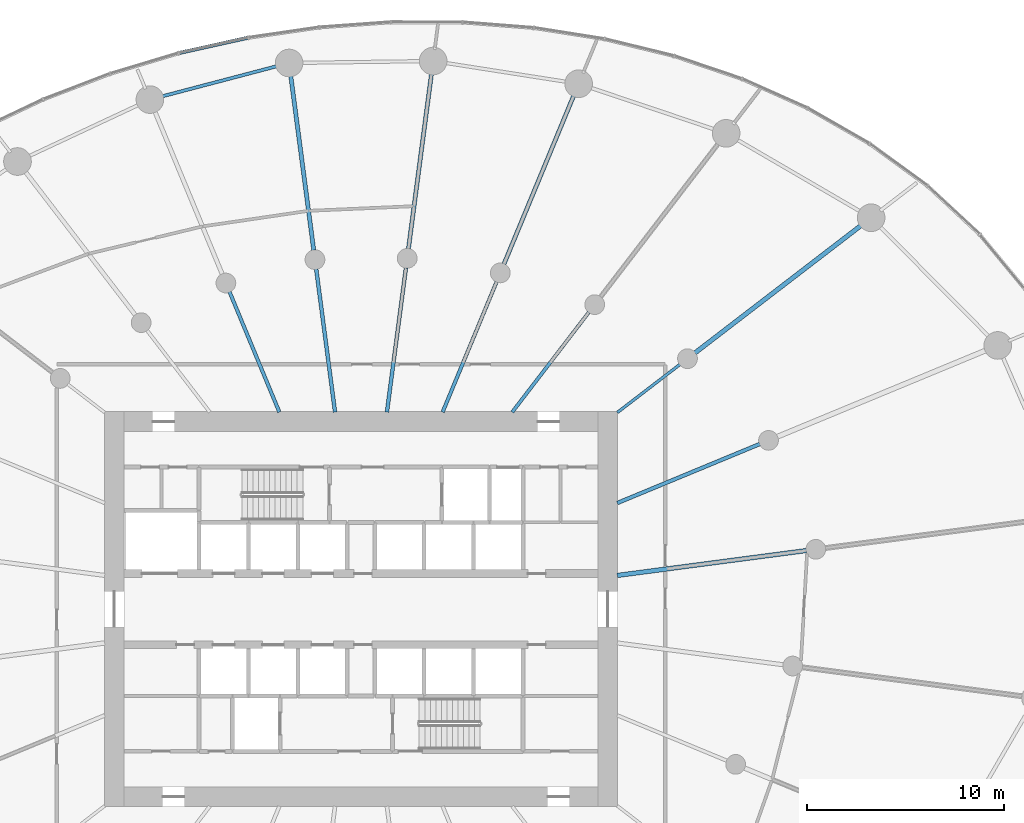
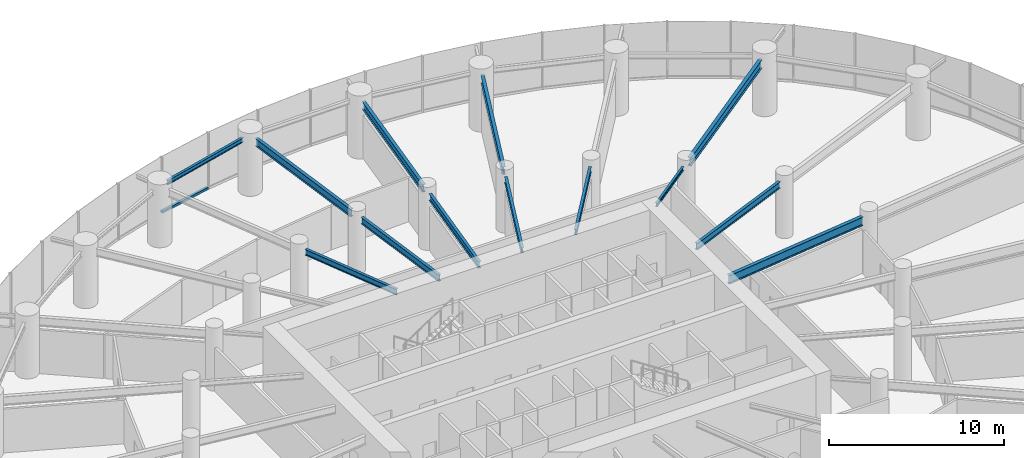
# One storey, part 7 of 19: 13 beams, 1 member, 1 element without a shape of its own.
"""IFC4 building model written with IfcOpenShell, lengths in metres."""

from ifc_helpers import new_model, si_unit, direction, frame, origin, origin_2d, place, context, subcontext, project, spatial, rectangle, i_section, extrude, source, transform, mapped, material, layer, layer_set, material_profile, profile_set, type_object, element, aggregate, save


model = new_model("IFC4")

# Units and contexts
model_context = context("Model", 3, precision=1e-05, world=origin(), true_north=direction((0.0, 1.0)))
body_context = subcontext(model_context, "Body", "Model", "MODEL_VIEW")
ifc_project = project(units=[si_unit("LENGTHUNIT", "METRE"), si_unit("AREAUNIT", "SQUARE_METRE"), si_unit("VOLUMEUNIT", "CUBIC_METRE"), si_unit("PLANEANGLEUNIT", "RADIAN"), si_unit("MASSUNIT", "GRAM", prefix="KILO")], contexts=[model_context])

# Site, building, storey
site_placement = place(None, origin())
site = spatial("IfcSite", under=ifc_project, at=site_placement, CompositionType="ELEMENT")
building_placement = place(site_placement, origin())
building = spatial("IfcBuilding", under=site, at=building_placement, Name="Spindrift Exchange Tower", CompositionType="ELEMENT")
storey_placement = place(building_placement, frame((0.0, 0.0, 49.0)))
storey = spatial("IfcBuildingStorey", under=building, at=storey_placement, Name="L11", CompositionType="ELEMENT", Elevation=49.0)

# Beams
ifc_material_1 = material(Name="Steel Grade 300", Category="steel")
ifc_material_profile_1 = material_profile(ifc_material_1, i_section(OverallWidth=0.22802734375, OverallDepth=0.60693359375, WebThickness=0.01123046875, FlangeThickness=0.017333984375, FilletRadius=0.013916015625, at=origin_2d()), Name="610UB113")
ifc_profile_set_1 = profile_set([ifc_material_profile_1], Name="Steel Grade 300")
beam_type_1 = type_object("IfcBeamType", Name="Floor Beam 610UB113 Steel Grade 300", PredefinedType="BEAM", material=ifc_profile_set_1)
shared_shape_1 = source(origin(), body_context, "Body", "SweptSolid", [
    extrude(i_section(OverallWidth=0.22802734375, OverallDepth=0.60693359375, WebThickness=0.01123046875, FlangeThickness=0.017333984375, FilletRadius=0.013916015625, at=origin_2d()), origin(), (0.0, 0.0, 1.0), 9.660400390625),
])
beam_1_placement = place(storey_placement, frame((64.980224609375, 49.708984375, 3.646484375), z_axis=(0.99144767089, 0.130504850054, 0.0), x_axis=(-0.130504850054, 0.99144767089, 0.0)))
element("IfcBeam", 1, at=beam_1_placement, inside=storey, type_object=beam_type_1, Name="L11 radial beam R01A", PredefinedType="BEAM", context=body_context, shape_type="MappedRepresentation", body=[
    mapped(shared_shape_1, transform((0.0, 0.0, 0.0), scale=1.0)),
])
ifc_material_profile_2 = material_profile(ifc_material_1, i_section(OverallWidth=0.18994140625, OverallDepth=0.45703125, WebThickness=0.009033203125, FlangeThickness=0.014404296875, FilletRadius=0.013916015625, at=origin_2d()), Name="460UB74.6")
ifc_profile_set_2 = profile_set([ifc_material_profile_2], Name="Steel Grade 300")
beam_type_2 = type_object("IfcBeamType", Name="Floor Beam 460UB74.6 Steel Grade 300", PredefinedType="BEAM", material=ifc_profile_set_2)
shared_shape_2 = source(origin(), body_context, "Body", "SweptSolid", [
    extrude(i_section(OverallWidth=0.18994140625, OverallDepth=0.45703125, WebThickness=0.009033203125, FlangeThickness=0.014404296875, FilletRadius=0.013916015625, at=origin_2d()), origin(), (0.0, 0.0, 1.0), 7.808837890625),
])
beam_2_placement = place(storey_placement, frame((64.9814453125, 53.377197265625, 3.721435546875), z_axis=(0.92387965154, 0.382683145003, 0.0), x_axis=(-0.382683145003, 0.92387965154, 0.0)))
element("IfcBeam", 2, at=beam_2_placement, inside=storey, type_object=beam_type_2, Name="L11 radial beam R02A", PredefinedType="BEAM", context=body_context, shape_type="MappedRepresentation", body=[
    mapped(shared_shape_2, transform((0.0, 0.0, 0.0), scale=1.0)),
])
ifc_material_profile_3 = material_profile(ifc_material_1, i_section(OverallWidth=0.14599609375, OverallDepth=0.251953125, WebThickness=0.006103515625, FlangeThickness=0.008544921875, FilletRadius=0.011962890625, at=origin_2d()), Name="250UB31.4")
ifc_profile_set_3 = profile_set([ifc_material_profile_3], Name="Steel Grade 300")
beam_type_3 = type_object("IfcBeamType", Name="Floor Beam 250UB31.4 Steel Grade 300", PredefinedType="BEAM", material=ifc_profile_set_3)
shared_shape_3 = source(origin(), body_context, "Body", "SweptSolid", [
    extrude(i_section(OverallWidth=0.14599609375, OverallDepth=0.251953125, WebThickness=0.006103515625, FlangeThickness=0.008544921875, FilletRadius=0.011962890625, at=origin_2d()), origin(), (0.0, 0.0, 1.0), 3.99560546875),
])
beam_3_placement = place(storey_placement, frame((64.984130859375, 57.963134765625, 3.823974609375), z_axis=(0.793352561574, 0.608762443851, 0.0), x_axis=(-0.608762443851, 0.793352561574, 0.0)))
element("IfcBeam", 3, at=beam_3_placement, inside=storey, type_object=beam_type_3, Name="L11 radial beam R03A", PredefinedType="BEAM", context=body_context, shape_type="MappedRepresentation", body=[
    mapped(shared_shape_3, transform((0.0, 0.0, 0.0), scale=1.0)),
])
shared_shape_4 = source(origin(), body_context, "Body", "SweptSolid", [
    extrude(i_section(OverallWidth=0.22802734375, OverallDepth=0.60693359375, WebThickness=0.01123046875, FlangeThickness=0.017333984375, FilletRadius=0.013916015625, at=origin_2d()), origin(), (0.0, 0.0, 1.0), 10.66357421875),
])
beam_4_placement = place(storey_placement, frame((68.91552734375, 60.979736328125, 3.646484375), z_axis=(0.793357926757, 0.608755451764, 0.0), x_axis=(-0.608755451764, 0.793357926757, 0.0)))
element("IfcBeam", 4, at=beam_4_placement, inside=storey, type_object=beam_type_1, Name="L11 radial beam R03B", PredefinedType="BEAM", context=body_context, shape_type="MappedRepresentation", body=[
    mapped(shared_shape_4, transform((0.0, 0.0, 0.0), scale=1.0)),
])
ifc_material_profile_4 = material_profile(ifc_material_1, i_section(OverallWidth=0.172119140625, OverallDepth=0.35888671875, WebThickness=0.008056640625, FlangeThickness=0.012939453125, FilletRadius=0.013916015625, at=origin_2d()), Name="360UB56.7")
ifc_profile_set_4 = profile_set([ifc_material_profile_4], Name="Steel Grade 300")
beam_type_4 = type_object("IfcBeamType", Name="Floor Beam 360UB56.7 Steel Grade 300", PredefinedType="BEAM", material=ifc_profile_set_4)
shared_shape_5 = source(origin(), body_context, "Body", "SweptSolid", [
    extrude(i_section(OverallWidth=0.172119140625, OverallDepth=0.35888671875, WebThickness=0.008056640625, FlangeThickness=0.012939453125, FilletRadius=0.013916015625, at=origin_2d()), origin(), (0.0, 0.0, 1.0), 6.37646484375),
])
beam_5_placement = place(storey_placement, frame((59.6611328125, 57.984130859375, 3.7705078125), z_axis=(0.608766669952, 0.793349318747, 0.0), x_axis=(-0.793349318747, 0.608766669952, 0.0)))
element("IfcBeam", 5, at=beam_5_placement, inside=storey, type_object=beam_type_4, Name="L11 radial beam R04A", PredefinedType="BEAM", context=body_context, shape_type="MappedRepresentation", body=[
    mapped(shared_shape_5, transform((0.0, 0.0, 0.0), scale=1.0)),
])
ifc_material_profile_5 = material_profile(ifc_material_1, i_section(OverallWidth=0.177978515625, OverallDepth=0.406005859375, WebThickness=0.0078125, FlangeThickness=0.0126953125, FilletRadius=0.013916015625, at=origin_2d()), Name="410UB59.7")
ifc_profile_set_5 = profile_set([ifc_material_profile_5], Name="Steel Grade 300")
beam_type_5 = type_object("IfcBeamType", Name="Floor Beam 410UB59.7 Steel Grade 300", PredefinedType="BEAM", material=ifc_profile_set_5)
shared_shape_6 = source(origin(), body_context, "Body", "SweptSolid", [
    extrude(i_section(OverallWidth=0.177978515625, OverallDepth=0.406005859375, WebThickness=0.0078125, FlangeThickness=0.0126953125, FilletRadius=0.013916015625, at=origin_2d()), origin(), (0.0, 0.0, 1.0), 7.150634765625),
])
beam_6_placement = place(storey_placement, frame((56.134521484375, 57.9814453125, 3.7470703125), z_axis=(0.382665393358, 0.923887004306, 0.0), x_axis=(-0.923887004306, 0.382665393358, 0.0)))
element("IfcBeam", 6, at=beam_6_placement, inside=storey, type_object=beam_type_5, Name="L11 radial beam R05A", PredefinedType="BEAM", context=body_context, shape_type="MappedRepresentation", body=[
    mapped(shared_shape_6, transform((0.0, 0.0, 0.0), scale=1.0)),
])
ifc_material_profile_6 = material_profile(ifc_material_1, i_section(OverallWidth=0.208984375, OverallDepth=0.532958984375, WebThickness=0.01025390625, FlangeThickness=0.015625, FilletRadius=0.013916015625, at=origin_2d()), Name="530UB92.4")
ifc_profile_set_6 = profile_set([ifc_material_profile_6], Name="Steel Grade 300")
beam_type_6 = type_object("IfcBeamType", Name="Floor Beam 530UB92.4 Steel Grade 300", PredefinedType="BEAM", material=ifc_profile_set_6)
shared_shape_7 = source(origin(), body_context, "Body", "SweptSolid", [
    extrude(i_section(OverallWidth=0.208984375, OverallDepth=0.532958984375, WebThickness=0.01025390625, FlangeThickness=0.015625, FilletRadius=0.013916015625, at=origin_2d()), origin(), (0.0, 0.0, 1.0), 9.309326171875),
])
beam_7_placement = place(storey_placement, frame((59.23828125, 65.474853515625, 3.68359375), z_axis=(0.382685326691, 0.923878747853, 0.0), x_axis=(-0.923878747853, 0.382685326691, 0.0)))
element("IfcBeam", 7, at=beam_7_placement, inside=storey, type_object=beam_type_6, Name="L11 radial beam R05B", PredefinedType="BEAM", context=body_context, shape_type="MappedRepresentation", body=[
    mapped(shared_shape_7, transform((0.0, 0.0, 0.0), scale=1.0)),
])
shared_shape_8 = source(origin(), body_context, "Body", "SweptSolid", [
    extrude(i_section(OverallWidth=0.18994140625, OverallDepth=0.45703125, WebThickness=0.009033203125, FlangeThickness=0.014404296875, FilletRadius=0.013916015625, at=origin_2d()), origin(), (0.0, 0.0, 1.0), 7.374267578125),
])
beam_8_placement = place(storey_placement, frame((53.31396484375, 57.980224609375, 3.721435546875), z_axis=(0.130539295622, 0.99144313619, 0.0), x_axis=(-0.99144313619, 0.130539295622, 0.0)))
element("IfcBeam", 8, at=beam_8_placement, inside=storey, type_object=beam_type_2, Name="L11 radial beam R06A", PredefinedType="BEAM", context=body_context, shape_type="MappedRepresentation", body=[
    mapped(shared_shape_8, transform((0.0, 0.0, 0.0), scale=1.0)),
])
shared_shape_9 = source(origin(), body_context, "Body", "SweptSolid", [
    extrude(i_section(OverallWidth=0.208984375, OverallDepth=0.532958984375, WebThickness=0.01025390625, FlangeThickness=0.015625, FilletRadius=0.013916015625, at=origin_2d()), origin(), (0.0, 0.0, 1.0), 9.020263671875),
])
beam_9_placement = place(storey_placement, frame((54.40185546875, 66.2431640625, 3.68359375), z_axis=(0.13051122338, 0.991446831944, 0.0), x_axis=(-0.991446831944, 0.13051122338, 0.0)))
element("IfcBeam", 9, at=beam_9_placement, inside=storey, type_object=beam_type_6, Name="L11 radial beam R06B", PredefinedType="BEAM", context=body_context, shape_type="MappedRepresentation", body=[
    mapped(shared_shape_9, transform((0.0, 0.0, 0.0), scale=1.0)),
])
shared_shape_10 = source(origin(), body_context, "Body", "SweptSolid", [
    extrude(i_section(OverallWidth=0.18994140625, OverallDepth=0.45703125, WebThickness=0.009033203125, FlangeThickness=0.014404296875, FilletRadius=0.013916015625, at=origin_2d()), origin(), (0.0, 0.0, 1.0), 7.3095703125),
])
beam_10_placement = place(storey_placement, frame((50.68603515625, 57.980224609375, 3.721435546875), z_axis=(-0.130527087244, 0.991444743541, 0.0), x_axis=(-0.991444743541, -0.130527087244, 0.0)))
element("IfcBeam", 10, at=beam_10_placement, inside=storey, type_object=beam_type_2, Name="L11 radial beam R07A", PredefinedType="BEAM", context=body_context, shape_type="MappedRepresentation", body=[
    mapped(shared_shape_10, transform((0.0, 0.0, 0.0), scale=1.0)),
])
shared_shape_11 = source(origin(), body_context, "Body", "SweptSolid", [
    extrude(i_section(OverallWidth=0.208984375, OverallDepth=0.532958984375, WebThickness=0.01025390625, FlangeThickness=0.015625, FilletRadius=0.013916015625, at=origin_2d()), origin(), (0.0, 0.0, 1.0), 8.98388671875),
])
beam_11_placement = place(storey_placement, frame((49.606689453125, 66.17919921875, 3.68359375), z_axis=(-0.130524106785, 0.991445135924, 0.0), x_axis=(-0.991445135924, -0.130524106785, 0.0)))
element("IfcBeam", 11, at=beam_11_placement, inside=storey, type_object=beam_type_6, Name="L11 radial beam R07B", PredefinedType="BEAM", context=body_context, shape_type="MappedRepresentation", body=[
    mapped(shared_shape_11, transform((0.0, 0.0, 0.0), scale=1.0)),
])
shared_shape_12 = source(origin(), body_context, "Body", "SweptSolid", [
    extrude(i_section(OverallWidth=0.177978515625, OverallDepth=0.406005859375, WebThickness=0.0078125, FlangeThickness=0.0126953125, FilletRadius=0.013916015625, at=origin_2d()), origin(), (0.0, 0.0, 1.0), 6.594482421875),
])
beam_12_placement = place(storey_placement, frame((47.865478515625, 57.9814453125, 3.7470703125), z_axis=(-0.382692929746, 0.92387559851, 0.0), x_axis=(-0.92387559851, -0.382692929746, 0.0)))
element("IfcBeam", 12, at=beam_12_placement, inside=storey, type_object=beam_type_5, Name="L11 radial beam R08A", PredefinedType="BEAM", context=body_context, shape_type="MappedRepresentation", body=[
    mapped(shared_shape_12, transform((0.0, 0.0, 0.0), scale=1.0)),
])
ifc_material_profile_7 = material_profile(ifc_material_1, i_section(OverallWidth=0.1650390625, OverallDepth=0.303955078125, WebThickness=0.006103515625, FlangeThickness=0.01025390625, FilletRadius=0.011474609375, at=origin_2d()), Name="310UB40.4")
ifc_profile_set_7 = profile_set([ifc_material_profile_7], Name="Steel Grade 300")
beam_type_7 = type_object("IfcBeamType", Name="Edge Beam 310UB40.4 Steel Grade 300", PredefinedType="SPANDREL", material=ifc_profile_set_7)
shared_shape_13 = source(origin(), body_context, "Body", "SweptSolid", [
    extrude(i_section(OverallWidth=0.1650390625, OverallDepth=0.303955078125, WebThickness=0.006103515625, FlangeThickness=0.01025390625, FilletRadius=0.011474609375, at=origin_2d()), origin(), (0.0, 0.0, 1.0), 6.128173828125),
])
beam_13_placement = place(storey_placement, frame((47.79736328125, 75.513916015625, 3.798095703125), z_axis=(-0.967147261855, -0.254216785216, 0.0), x_axis=(0.254216785216, -0.967147261855, 0.0)))
element("IfcBeam", 13, at=beam_13_placement, inside=storey, type_object=beam_type_7, Name="L11 edge beam E07", PredefinedType="SPANDREL", context=body_context, shape_type="MappedRepresentation", body=[
    mapped(shared_shape_13, transform((0.0, 0.0, 0.0), scale=1.0)),
])

# Curtain wall, member
ifc_material_2 = material(Name="Fritted laminated glass with bronze frame", Category="glass")
ifc_layer = layer(ifc_material_2, 0.199951171875)
ifc_layer_set = layer_set([ifc_layer], Name="ZONE 1 BRONZE FRITTED WALL")
curtain_wall_type = type_object("IfcCurtainWallType", Name="ZONE 1 BRONZE FRITTED WALL", PredefinedType="NOTDEFINED", material=ifc_layer_set)
curtain_wall_placement = place(storey_placement, origin())
curtain_wall = element("IfcCurtainWall", 14, at=curtain_wall_placement, inside=storey, type_object=curtain_wall_type, Name="L11 Zone 1 Bronze Fritted Wall run 3", PredefinedType="NOTDEFINED")
ifc_material_3 = material(Name="Bronze anodised aluminium", Category="aluminium")
ifc_material_profile_8 = material_profile(ifc_material_3, rectangle(XDim=0.179931640625, YDim=0.14990234375, at=origin_2d()), Name="ZONE 1 BRONZE FRITTED WALL TRANSOM 180X150")
ifc_profile_set_8 = profile_set([ifc_material_profile_8], Name="Bronze anodised aluminium")
member_type = type_object("IfcMemberType", Name="ZONE 1 BRONZE FRITTED WALL TRANSOM 180X150", PredefinedType="USERDEFINED", material=ifc_profile_set_8)
shared_shape_14 = source(origin(), body_context, "Body", "SweptSolid", [
    extrude(rectangle(XDim=0.179931640625, YDim=0.14990234375, at=origin_2d()), origin(), (0.0, 0.0, 1.0), 3.54736328125),
])
member_placement = place(storey_placement, frame((46.267822265625, 76.942626953125, 0.074951171875), z_axis=(-0.976309973153, -0.216376607613, 0.0), x_axis=(0.216376607613, -0.976309973153, 0.0)))
member = element("IfcMember", 15, at=member_placement, type_object=member_type, Name="L11 transom CW-1.16", ObjectType="TRANSOM", PredefinedType="USERDEFINED", context=body_context, shape_type="MappedRepresentation", body=[
    mapped(shared_shape_14, transform((0.0, 0.0, 0.0), scale=1.0)),
])
aggregate(curtain_wall, [member])

save(model, "model.ifc")
